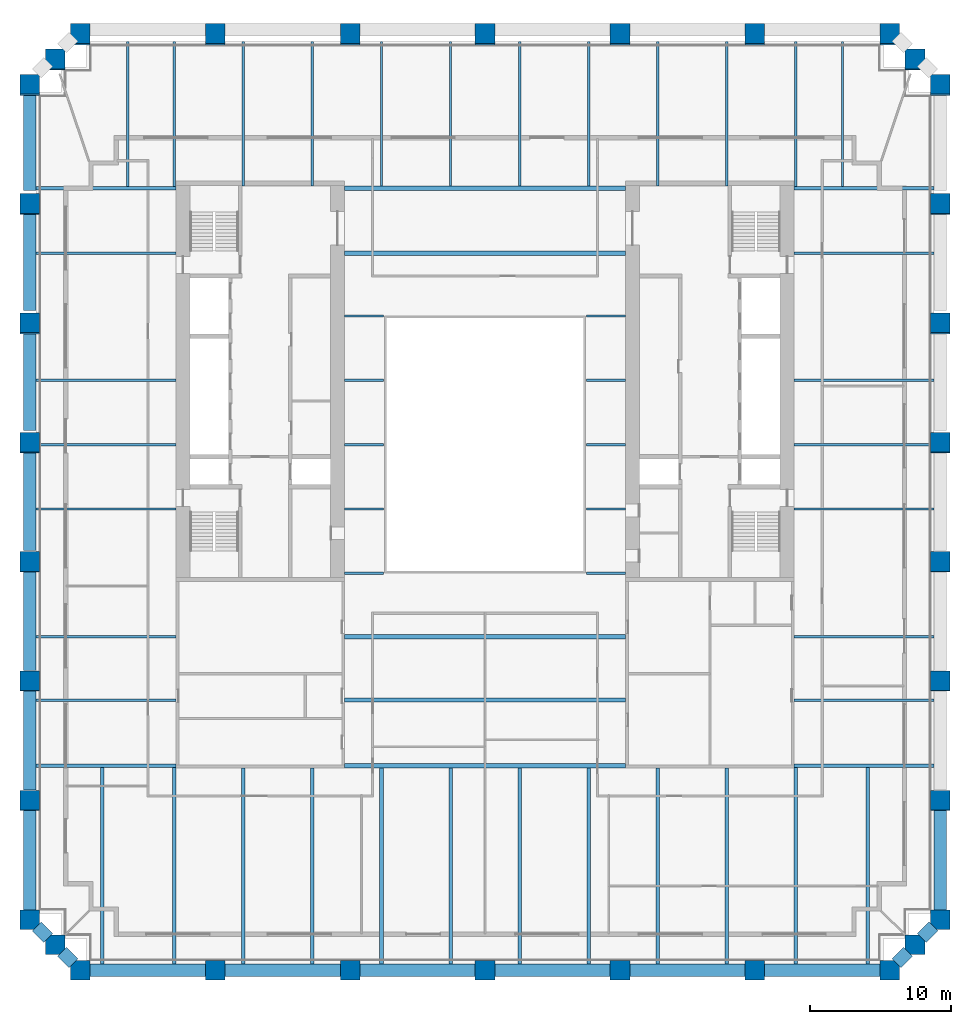
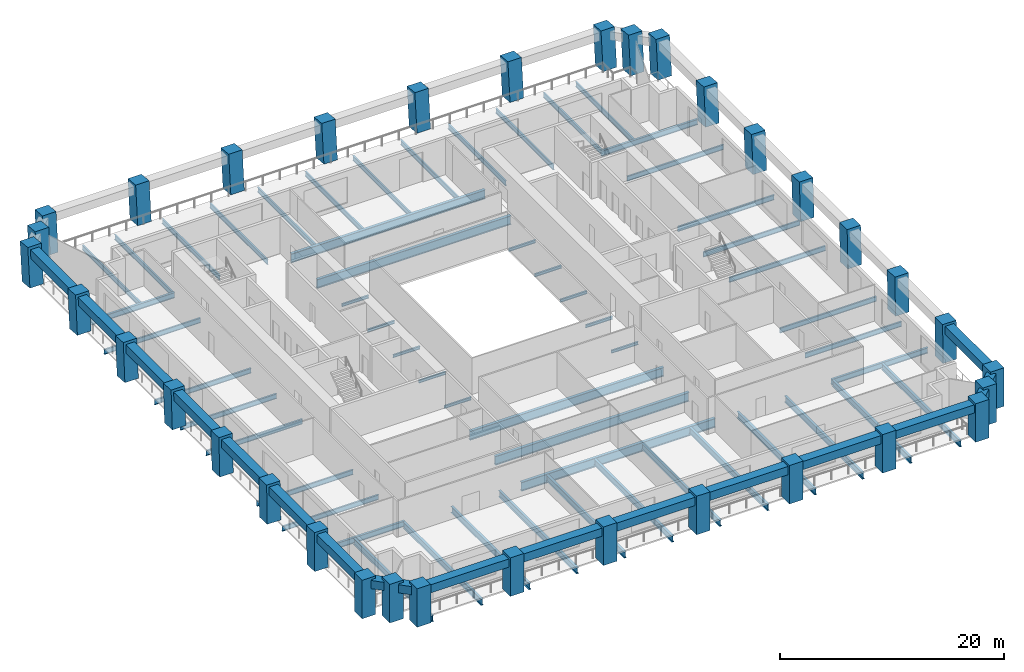
# One storey, part 1 of 9: 73 beams, 34 columns.
"""IFC4 building model written with IfcOpenShell, lengths in metres."""

from ifc_helpers import new_model, si_unit, direction, frame, origin, origin_2d, place, context, subcontext, project, spatial, rectangle, i_section, extrude, material, material_profile, profile_set, type_object, element, save


model = new_model("IFC4")

# Units and contexts
model_context = context("Model", 3, precision=1e-05, world=origin(), true_north=direction((0.0, 1.0)))
body_context = subcontext(model_context, "Body", "Model", "MODEL_VIEW")
ifc_project = project(units=[si_unit("LENGTHUNIT", "METRE"), si_unit("AREAUNIT", "SQUARE_METRE"), si_unit("VOLUMEUNIT", "CUBIC_METRE"), si_unit("PLANEANGLEUNIT", "RADIAN"), si_unit("MASSUNIT", "GRAM", prefix="KILO")], contexts=[model_context])

# Site, building, storey
site_placement = place(None, origin())
site = spatial("IfcSite", under=ifc_project, at=site_placement, CompositionType="ELEMENT")
building_placement = place(site_placement, origin())
building = spatial("IfcBuilding", under=site, at=building_placement, Name="Ogive Exchange Tower", CompositionType="ELEMENT")
storey_placement = place(building_placement, frame((0.0, 0.0, 85.800048828125)))
storey = spatial("IfcBuildingStorey", under=building, at=storey_placement, Name="L18", CompositionType="ELEMENT", Elevation=85.800048828125)

# Columns
ifc_material_1 = material(Name="Precast concrete C70/85 (limestone faced)", Category="masonry")
ifc_material_profile_1 = material_profile(ifc_material_1, rectangle(XDim=1.39990234375, YDim=1.39990234375, at=origin_2d()), Name="1400 x 1400")
ifc_profile_set_1 = profile_set([ifc_material_profile_1], Name="Precast concrete C70/85 (limestone faced)")
column_type = type_object("IfcColumnType", Name="Precast exoskeleton leg 1400 x 1400 C70/85", PredefinedType="COLUMN", material=ifc_profile_set_1)
for number, where, z_axis, x_axis, name in (
    (1, (-28.800048828125, -30.39990234375, 0.0), (0.0, 0.0, 1.0), (1.0, 0.0, 0.0), "Exoskeleton leg 1"),
    (2, (-19.199951171875, -30.39990234375, 0.0), (0.0, 0.0, 1.0), (1.0, 0.0, 0.0), "Exoskeleton leg 2"),
    (3, (-9.60009765625, -30.39990234375, 0.0), (0.0, 0.0, 1.0), (1.0, 0.0, 0.0), "Exoskeleton leg 3"),
    (4, (0.0, -30.39990234375, 0.0), (0.0, 0.0, 1.0), (1.0, 0.0, 0.0), "Exoskeleton leg 4"),
    (5, (9.60009765625, -30.39990234375, 0.0), (0.0, 0.0, 1.0), (1.0, 0.0, 0.0), "Exoskeleton leg 5"),
    (6, (19.199951171875, -30.39990234375, 0.0), (0.0, 0.0, 1.0), (1.0, 0.0, 0.0), "Exoskeleton leg 6"),
    (7, (28.800048828125, -30.39990234375, 0.0), (0.0, 0.0, 1.0), (1.0, 0.0, 0.0), "Exoskeleton leg 7"),
    (8, (32.39990234375, -26.800048828125, 0.0), (0.0, 0.0, 1.0), (1.0, 0.0, 0.0), "Exoskeleton leg 8"),
):
    element("IfcColumn", number, at=place(storey_placement, frame(where, z_axis=z_axis, x_axis=x_axis)), inside=storey, type_object=column_type, Name=name, PredefinedType="COLUMN", context=body_context, shape_type="SweptSolid", body=[
        extrude(rectangle(XDim=1.39990234375, YDim=1.39990234375, at=origin_2d()), origin(), (0.0, 0.0, 1.0), 4.199951171875),
    ])
column_1_placement = place(storey_placement, frame((32.39990234375, -18.322021484375, 0.0), z_axis=(0.0, 0.012961766342, 0.999915992778), x_axis=(-1.0, 0.0, 0.0)))
element("IfcColumn", 9, at=column_1_placement, inside=storey, type_object=column_type, Name="Exoskeleton leg 9", PredefinedType="COLUMN", context=body_context, shape_type="SweptSolid", body=[
    extrude(rectangle(XDim=1.39990234375, YDim=1.39990234375, at=origin_2d()), origin(), (0.0, 0.0, 1.0), 4.2001953125),
])
column_2_placement = place(storey_placement, frame((32.39990234375, -9.84423828125, 0.0), z_axis=(0.0, 0.025975072843, 0.999662590873), x_axis=(-1.0, 0.0, 0.0)))
element("IfcColumn", 10, at=column_2_placement, inside=storey, type_object=column_type, Name="Exoskeleton leg 10", PredefinedType="COLUMN", context=body_context, shape_type="SweptSolid", body=[
    extrude(rectangle(XDim=1.39990234375, YDim=1.39990234375, at=origin_2d()), origin(), (0.0, 0.0, 1.0), 4.201416015625),
])
column_3_placement = place(storey_placement, frame((32.39990234375, -1.3662109375, 0.0), z_axis=(0.0, 0.038917190853, 0.999242439179), x_axis=(-1.0, 0.0, 0.0)))
element("IfcColumn", 11, at=column_3_placement, inside=storey, type_object=column_type, Name="Exoskeleton leg 11", PredefinedType="COLUMN", context=body_context, shape_type="SweptSolid", body=[
    extrude(rectangle(XDim=1.39990234375, YDim=1.39990234375, at=origin_2d()), origin(), (0.0, 0.0, 1.0), 4.203125),
])
column_4_placement = place(storey_placement, frame((32.39990234375, 7.11181640625, 0.0), z_axis=(0.0, 0.051839753909, 0.998655416004), x_axis=(-1.0, 0.0, 0.0)))
element("IfcColumn", 12, at=column_4_placement, inside=storey, type_object=column_type, Name="Exoskeleton leg 12", PredefinedType="COLUMN", context=body_context, shape_type="SweptSolid", body=[
    extrude(rectangle(XDim=1.39990234375, YDim=1.39990234375, at=origin_2d()), origin(), (0.0, 0.0, 1.0), 4.20556640625),
])
column_5_placement = place(storey_placement, frame((32.39990234375, 15.589599609375, 0.0), z_axis=(0.0, 0.064794093908, 0.997898654872), x_axis=(-1.0, 0.0, 0.0)))
element("IfcColumn", 13, at=column_5_placement, inside=storey, type_object=column_type, Name="Exoskeleton leg 13", PredefinedType="COLUMN", context=body_context, shape_type="SweptSolid", body=[
    extrude(rectangle(XDim=1.39990234375, YDim=1.39990234375, at=origin_2d()), origin(), (0.0, 0.0, 1.0), 4.208740234375),
])
column_6_placement = place(storey_placement, frame((32.39990234375, 24.0673828125, 0.0), z_axis=(0.0, 0.07771576013, 0.996975556685), x_axis=(-1.0, 0.0, 0.0)))
element("IfcColumn", 14, at=column_6_placement, inside=storey, type_object=column_type, Name="Exoskeleton leg 14", PredefinedType="COLUMN", context=body_context, shape_type="SweptSolid", body=[
    extrude(rectangle(XDim=1.39990234375, YDim=1.39990234375, at=origin_2d()), origin(), (0.0, 0.0, 1.0), 4.212646484375),
])
for number, where, z_axis, x_axis, name in (
    (15, (32.39990234375, 32.54541015625, 0.0), (0.0, 0.090540965689, 0.995892731941), (-1.0, 0.0, 0.0), "Exoskeleton leg 15"),
    (16, (28.800048828125, 36.1455078125, 0.0), (0.0, 0.090540965689, 0.995892731941), (-1.0, 0.0, 0.0), "Exoskeleton leg 16"),
    (17, (19.199951171875, 36.1455078125, 0.0), (0.0, 0.090540965689, 0.995892731941), (-1.0, 0.0, 0.0), "Exoskeleton leg 17"),
    (18, (9.60009765625, 36.1455078125, 0.0), (0.0, 0.090540965689, 0.995892731941), (-1.0, 0.0, 0.0), "Exoskeleton leg 18"),
    (19, (0.0, 36.1455078125, 0.0), (0.0, 0.090540965689, 0.995892731941), (-1.0, 0.0, 0.0), "Exoskeleton leg 19"),
    (20, (-9.60009765625, 36.1455078125, 0.0), (0.0, 0.090540965689, 0.995892731941), (-1.0, 0.0, 0.0), "Exoskeleton leg 20"),
    (21, (-19.199951171875, 36.1455078125, 0.0), (0.0, 0.090540965689, 0.995892731941), (-1.0, 0.0, 0.0), "Exoskeleton leg 21"),
    (22, (-28.800048828125, 36.1455078125, 0.0), (0.0, 0.090540965689, 0.995892731941), (-1.0, 0.0, 0.0), "Exoskeleton leg 22"),
    (23, (-32.39990234375, 32.54541015625, 0.0), (0.0, 0.090540965689, 0.995892731941), (-1.0, 0.0, 0.0), "Exoskeleton leg 23"),
):
    element("IfcColumn", number, at=place(storey_placement, frame(where, z_axis=z_axis, x_axis=x_axis)), inside=storey, type_object=column_type, Name=name, PredefinedType="COLUMN", context=body_context, shape_type="SweptSolid", body=[
        extrude(rectangle(XDim=1.39990234375, YDim=1.39990234375, at=origin_2d()), origin(), (0.0, 0.0, 1.0), 4.21728515625),
    ])
column_7_placement = place(storey_placement, frame((-32.39990234375, 24.0673828125, 0.0), z_axis=(0.0, 0.07771576013, 0.996975556685), x_axis=(-1.0, 0.0, 0.0)))
element("IfcColumn", 24, at=column_7_placement, inside=storey, type_object=column_type, Name="Exoskeleton leg 24", PredefinedType="COLUMN", context=body_context, shape_type="SweptSolid", body=[
    extrude(rectangle(XDim=1.39990234375, YDim=1.39990234375, at=origin_2d()), origin(), (0.0, 0.0, 1.0), 4.212646484375),
])
column_8_placement = place(storey_placement, frame((-32.39990234375, 15.589599609375, 0.0), z_axis=(0.0, 0.064794093908, 0.997898654872), x_axis=(-1.0, 0.0, 0.0)))
element("IfcColumn", 25, at=column_8_placement, inside=storey, type_object=column_type, Name="Exoskeleton leg 25", PredefinedType="COLUMN", context=body_context, shape_type="SweptSolid", body=[
    extrude(rectangle(XDim=1.39990234375, YDim=1.39990234375, at=origin_2d()), origin(), (0.0, 0.0, 1.0), 4.208740234375),
])
column_9_placement = place(storey_placement, frame((-32.39990234375, 7.11181640625, 0.0), z_axis=(0.0, 0.051839753909, 0.998655416004), x_axis=(-1.0, 0.0, 0.0)))
element("IfcColumn", 26, at=column_9_placement, inside=storey, type_object=column_type, Name="Exoskeleton leg 26", PredefinedType="COLUMN", context=body_context, shape_type="SweptSolid", body=[
    extrude(rectangle(XDim=1.39990234375, YDim=1.39990234375, at=origin_2d()), origin(), (0.0, 0.0, 1.0), 4.20556640625),
])
column_10_placement = place(storey_placement, frame((-32.39990234375, -1.3662109375, 0.0), z_axis=(0.0, 0.038917190853, 0.999242439179), x_axis=(-1.0, 0.0, 0.0)))
element("IfcColumn", 27, at=column_10_placement, inside=storey, type_object=column_type, Name="Exoskeleton leg 27", PredefinedType="COLUMN", context=body_context, shape_type="SweptSolid", body=[
    extrude(rectangle(XDim=1.39990234375, YDim=1.39990234375, at=origin_2d()), origin(), (0.0, 0.0, 1.0), 4.203125),
])
column_11_placement = place(storey_placement, frame((-32.39990234375, -9.84423828125, 0.0), z_axis=(0.0, 0.025975072843, 0.999662590873), x_axis=(-1.0, 0.0, 0.0)))
element("IfcColumn", 28, at=column_11_placement, inside=storey, type_object=column_type, Name="Exoskeleton leg 28", PredefinedType="COLUMN", context=body_context, shape_type="SweptSolid", body=[
    extrude(rectangle(XDim=1.39990234375, YDim=1.39990234375, at=origin_2d()), origin(), (0.0, 0.0, 1.0), 4.201416015625),
])
column_12_placement = place(storey_placement, frame((-32.39990234375, -18.322021484375, 0.0), z_axis=(0.0, 0.012961766342, 0.999915992778), x_axis=(-1.0, 0.0, 0.0)))
element("IfcColumn", 29, at=column_12_placement, inside=storey, type_object=column_type, Name="Exoskeleton leg 29", PredefinedType="COLUMN", context=body_context, shape_type="SweptSolid", body=[
    extrude(rectangle(XDim=1.39990234375, YDim=1.39990234375, at=origin_2d()), origin(), (0.0, 0.0, 1.0), 4.2001953125),
])
for number, where, z_axis, x_axis, name in (
    (30, (-32.39990234375, -26.800048828125, 0.0), (0.0, 0.0, 1.0), (1.0, 0.0, 0.0), "Exoskeleton leg 30"),
    (31, (30.60009765625, -28.60009765625, 0.0), (0.0, 0.0, 1.0), (1.0, 0.0, 0.0), "Exoskeleton leg 31"),
):
    element("IfcColumn", number, at=place(storey_placement, frame(where, z_axis=z_axis, x_axis=x_axis)), inside=storey, type_object=column_type, Name=name, PredefinedType="COLUMN", context=body_context, shape_type="SweptSolid", body=[
        extrude(rectangle(XDim=1.39990234375, YDim=1.39990234375, at=origin_2d()), origin(), (0.0, 0.0, 1.0), 4.199951171875),
    ])
for number, where, z_axis, x_axis, name in (
    (32, (30.60009765625, 34.345458984375, 0.0), (0.0, 0.090540965689, 0.995892731941), (-1.0, 0.0, 0.0), "Exoskeleton leg 32"),
    (33, (-30.60009765625, 34.345458984375, 0.0), (0.0, 0.090540965689, 0.995892731941), (-1.0, 0.0, 0.0), "Exoskeleton leg 33"),
):
    element("IfcColumn", number, at=place(storey_placement, frame(where, z_axis=z_axis, x_axis=x_axis)), inside=storey, type_object=column_type, Name=name, PredefinedType="COLUMN", context=body_context, shape_type="SweptSolid", body=[
        extrude(rectangle(XDim=1.39990234375, YDim=1.39990234375, at=origin_2d()), origin(), (0.0, 0.0, 1.0), 4.21728515625),
    ])
column_13_placement = place(storey_placement, frame((-30.60009765625, -28.60009765625, 0.0), z_axis=(0.0, 0.0, 1.0), x_axis=(1.0, 0.0, 0.0)))
element("IfcColumn", 34, at=column_13_placement, inside=storey, type_object=column_type, Name="Exoskeleton leg 34", PredefinedType="COLUMN", context=body_context, shape_type="SweptSolid", body=[
    extrude(rectangle(XDim=1.39990234375, YDim=1.39990234375, at=origin_2d()), origin(), (0.0, 0.0, 1.0), 4.199951171875),
])

# Beams
ifc_material_2 = material(Name="Steel ASTM A992 Gr50", Category="steel")
ifc_material_profile_2 = material_profile(ifc_material_2, i_section(OverallWidth=0.300048828125, OverallDepth=0.969970703125, WebThickness=0.01611328125, FlangeThickness=0.02099609375, at=origin_2d()), Name="W1000x222")
ifc_profile_set_2 = profile_set([ifc_material_profile_2], Name="Steel ASTM A992 Gr50")
beam_type_1 = type_object("IfcBeamType", Name="Floor beam W1000x222", PredefinedType="JOIST", material=ifc_profile_set_2)
for number, where, z_axis, x_axis, name in (
    (35, (-10.0, -11.17822265625, -0.68505859375), (1.0, 0.0, 0.0), (0.0, 1.0, 0.0), "Floor beam"),
    (36, (-10.0, -6.666748046875, -0.68505859375), (1.0, 0.0, 0.0), (0.0, 1.0, 0.0), "Floor beam"),
    (37, (-10.0, 20.62255859375, -0.68505859375), (1.0, 0.0, 0.0), (0.0, 1.0, 0.0), "Floor beam"),
):
    element("IfcBeam", number, at=place(storey_placement, frame(where, z_axis=z_axis, x_axis=x_axis)), inside=storey, type_object=beam_type_1, Name=name, PredefinedType="JOIST", context=body_context, shape_type="SweptSolid", body=[
        extrude(i_section(OverallWidth=0.300048828125, OverallDepth=0.969970703125, WebThickness=0.01611328125, FlangeThickness=0.02099609375, at=origin_2d()), origin(), (0.0, 0.0, 1.0), 20.0),
    ])
ifc_material_profile_3 = material_profile(ifc_material_2, i_section(OverallWidth=0.1650390625, OverallDepth=0.31005859375, WebThickness=0.005859375, FlangeThickness=0.009765625, at=origin_2d()), Name="W310x38.7")
ifc_profile_set_3 = profile_set([ifc_material_profile_3], Name="Steel ASTM A992 Gr50")
beam_type_2 = type_object("IfcBeamType", Name="Floor beam W310x38.7", PredefinedType="JOIST", material=ifc_profile_set_3)
for number, where, z_axis, x_axis, name in (
    (38, (-10.0, 2.422607421875, -0.35498046875), (1.0, 0.0, 0.0), (0.0, 1.0, 0.0), "Floor beam"),
    (39, (7.219970703125, 2.422607421875, -0.35498046875), (1.0, 0.0, 0.0), (0.0, 1.0, 0.0), "Floor beam"),
    (40, (-10.0, 7.0, -0.35498046875), (1.0, 0.0, 0.0), (0.0, 1.0, 0.0), "Floor beam"),
    (41, (7.219970703125, 7.0, -0.35498046875), (1.0, 0.0, 0.0), (0.0, 1.0, 0.0), "Floor beam"),
    (42, (-10.0, 11.577392578125, -0.35498046875), (1.0, 0.0, 0.0), (0.0, 1.0, 0.0), "Floor beam"),
    (43, (7.219970703125, 11.577392578125, -0.35498046875), (1.0, 0.0, 0.0), (0.0, 1.0, 0.0), "Floor beam"),
):
    element("IfcBeam", number, at=place(storey_placement, frame(where, z_axis=z_axis, x_axis=x_axis)), inside=storey, type_object=beam_type_2, Name=name, PredefinedType="JOIST", context=body_context, shape_type="SweptSolid", body=[
        extrude(i_section(OverallWidth=0.1650390625, OverallDepth=0.31005859375, WebThickness=0.005859375, FlangeThickness=0.009765625, at=origin_2d()), origin(), (0.0, 0.0, 1.0), 2.780029296875),
    ])
ifc_material_profile_4 = material_profile(ifc_material_2, i_section(OverallWidth=0.1669921875, OverallDepth=0.535888671875, WebThickness=0.01025390625, FlangeThickness=0.0166015625, at=origin_2d()), Name="W530x85")
ifc_profile_set_4 = profile_set([ifc_material_profile_4], Name="Steel ASTM A992 Gr50")
beam_type_3 = type_object("IfcBeamType", Name="Floor beam W530x85", PredefinedType="JOIST", material=ifc_profile_set_4)
for number, where, z_axis, x_axis, name in (
    (44, (-31.949951171875, -11.17822265625, -0.468017578125), (1.0, 0.0, 0.0), (0.0, 1.0, 0.0), "Floor beam"),
    (45, (22.0, -11.17822265625, -0.468017578125), (1.0, 0.0, 0.0), (0.0, 1.0, 0.0), "Floor beam"),
    (46, (-31.949951171875, -6.666748046875, -0.468017578125), (1.0, 0.0, 0.0), (0.0, 1.0, 0.0), "Floor beam"),
    (47, (22.0, -6.666748046875, -0.468017578125), (1.0, 0.0, 0.0), (0.0, 1.0, 0.0), "Floor beam"),
    (48, (-31.949951171875, 2.422607421875, -0.468017578125), (1.0, 0.0, 0.0), (0.0, 1.0, 0.0), "Floor beam"),
    (49, (22.0, 2.422607421875, -0.468017578125), (1.0, 0.0, 0.0), (0.0, 1.0, 0.0), "Floor beam"),
    (50, (-31.949951171875, 7.0, -0.468017578125), (1.0, 0.0, 0.0), (0.0, 1.0, 0.0), "Floor beam"),
    (51, (22.0, 7.0, -0.468017578125), (1.0, 0.0, 0.0), (0.0, 1.0, 0.0), "Floor beam"),
    (52, (-31.949951171875, 11.577392578125, -0.468017578125), (1.0, 0.0, 0.0), (0.0, 1.0, 0.0), "Floor beam"),
    (53, (22.0, 11.577392578125, -0.468017578125), (1.0, 0.0, 0.0), (0.0, 1.0, 0.0), "Floor beam"),
    (54, (-31.949951171875, 20.62255859375, -0.468017578125), (1.0, 0.0, 0.0), (0.0, 1.0, 0.0), "Floor beam"),
    (55, (22.0, 20.62255859375, -0.468017578125), (1.0, 0.0, 0.0), (0.0, 1.0, 0.0), "Floor beam"),
):
    element("IfcBeam", number, at=place(storey_placement, frame(where, z_axis=z_axis, x_axis=x_axis)), inside=storey, type_object=beam_type_3, Name=name, PredefinedType="JOIST", context=body_context, shape_type="SweptSolid", body=[
        extrude(i_section(OverallWidth=0.1669921875, OverallDepth=0.535888671875, WebThickness=0.01025390625, FlangeThickness=0.0166015625, at=origin_2d()), origin(), (0.0, 0.0, 1.0), 9.949951171875),
    ])
for number, where, z_axis, x_axis, name in (
    (56, (-25.4345703125, 25.35888671875, -0.468017578125), (0.0, 1.0, 0.0), (-1.0, 0.0, 0.0), "Floor beam"),
    (57, (-22.119140625, 25.35888671875, -0.468017578125), (0.0, 1.0, 0.0), (-1.0, 0.0, 0.0), "Floor beam"),
):
    element("IfcBeam", number, at=place(storey_placement, frame(where, z_axis=z_axis, x_axis=x_axis)), inside=storey, type_object=beam_type_3, Name=name, PredefinedType="JOIST", context=body_context, shape_type="SweptSolid", body=[
        extrude(i_section(OverallWidth=0.1669921875, OverallDepth=0.535888671875, WebThickness=0.01025390625, FlangeThickness=0.0166015625, at=origin_2d()), origin(), (0.0, 0.0, 1.0), 10.336669921875),
    ])
for number, where, z_axis, x_axis, name in (
    (58, (-17.203857421875, 25.39990234375, -0.468017578125), (0.0, 1.0, 0.0), (-1.0, 0.0, 0.0), "Floor beam"),
    (59, (-12.28857421875, 25.39990234375, -0.468017578125), (0.0, 1.0, 0.0), (-1.0, 0.0, 0.0), "Floor beam"),
):
    element("IfcBeam", number, at=place(storey_placement, frame(where, z_axis=z_axis, x_axis=x_axis)), inside=storey, type_object=beam_type_3, Name=name, PredefinedType="JOIST", context=body_context, shape_type="SweptSolid", body=[
        extrude(i_section(OverallWidth=0.1669921875, OverallDepth=0.535888671875, WebThickness=0.01025390625, FlangeThickness=0.0166015625, at=origin_2d()), origin(), (0.0, 0.0, 1.0), 10.295654296875),
    ])
for number, where, z_axis, x_axis, name in (
    (60, (-7.373046875, 25.39501953125, -0.468017578125), (0.0, 1.0, 0.0), (-1.0, 0.0, 0.0), "Floor beam"),
    (61, (-2.457763671875, 25.39501953125, -0.468017578125), (0.0, 1.0, 0.0), (-1.0, 0.0, 0.0), "Floor beam"),
    (62, (2.457763671875, 25.39501953125, -0.468017578125), (0.0, 1.0, 0.0), (-1.0, 0.0, 0.0), "Floor beam"),
    (63, (7.373046875, 25.39501953125, -0.468017578125), (0.0, 1.0, 0.0), (-1.0, 0.0, 0.0), "Floor beam"),
):
    element("IfcBeam", number, at=place(storey_placement, frame(where, z_axis=z_axis, x_axis=x_axis)), inside=storey, type_object=beam_type_3, Name=name, PredefinedType="JOIST", context=body_context, shape_type="SweptSolid", body=[
        extrude(i_section(OverallWidth=0.1669921875, OverallDepth=0.535888671875, WebThickness=0.01025390625, FlangeThickness=0.0166015625, at=origin_2d()), origin(), (0.0, 0.0, 1.0), 10.300537109375),
    ])
for number, where, z_axis, x_axis, name in (
    (64, (12.28857421875, 25.39990234375, -0.468017578125), (0.0, 1.0, 0.0), (-1.0, 0.0, 0.0), "Floor beam"),
    (65, (17.203857421875, 25.39990234375, -0.468017578125), (0.0, 1.0, 0.0), (-1.0, 0.0, 0.0), "Floor beam"),
):
    element("IfcBeam", number, at=place(storey_placement, frame(where, z_axis=z_axis, x_axis=x_axis)), inside=storey, type_object=beam_type_3, Name=name, PredefinedType="JOIST", context=body_context, shape_type="SweptSolid", body=[
        extrude(i_section(OverallWidth=0.1669921875, OverallDepth=0.535888671875, WebThickness=0.01025390625, FlangeThickness=0.0166015625, at=origin_2d()), origin(), (0.0, 0.0, 1.0), 10.295654296875),
    ])
for number, where, z_axis, x_axis, name in (
    (66, (22.119140625, 25.35888671875, -0.468017578125), (0.0, 1.0, 0.0), (-1.0, 0.0, 0.0), "Floor beam"),
    (67, (25.4345703125, 25.35888671875, -0.468017578125), (0.0, 1.0, 0.0), (-1.0, 0.0, 0.0), "Floor beam"),
):
    element("IfcBeam", number, at=place(storey_placement, frame(where, z_axis=z_axis, x_axis=x_axis)), inside=storey, type_object=beam_type_3, Name=name, PredefinedType="JOIST", context=body_context, shape_type="SweptSolid", body=[
        extrude(i_section(OverallWidth=0.1669921875, OverallDepth=0.535888671875, WebThickness=0.01025390625, FlangeThickness=0.0166015625, at=origin_2d()), origin(), (0.0, 0.0, 1.0), 10.336669921875),
    ])
ifc_material_profile_5 = material_profile(ifc_material_2, i_section(OverallWidth=0.25390625, OverallDepth=0.677978515625, WebThickness=0.01171875, FlangeThickness=0.016357421875, at=origin_2d()), Name="W690x125")
ifc_profile_set_5 = profile_set([ifc_material_profile_5], Name="Steel ASTM A992 Gr50")
beam_type_4 = type_object("IfcBeamType", Name="Floor beam W690x125", PredefinedType="JOIST", material=ifc_profile_set_5)
for number, where, z_axis, x_axis, name in (
    (68, (-27.234619140625, -29.949951171875, -0.5390625), (0.0, 1.0, 0.0), (-1.0, 0.0, 0.0), "Floor beam"),
    (69, (-22.119140625, -29.949951171875, -0.5390625), (0.0, 1.0, 0.0), (-1.0, 0.0, 0.0), "Floor beam"),
):
    element("IfcBeam", number, at=place(storey_placement, frame(where, z_axis=z_axis, x_axis=x_axis)), inside=storey, type_object=beam_type_4, Name=name, PredefinedType="JOIST", context=body_context, shape_type="SweptSolid", body=[
        extrude(i_section(OverallWidth=0.25390625, OverallDepth=0.677978515625, WebThickness=0.01171875, FlangeThickness=0.016357421875, at=origin_2d()), origin(), (0.0, 0.0, 1.0), 13.990966796875),
    ])
for number, where, z_axis, x_axis, name in (
    (70, (-17.203857421875, -29.949951171875, -0.5390625), (0.0, 1.0, 0.0), (-1.0, 0.0, 0.0), "Floor beam"),
    (71, (-12.28857421875, -29.949951171875, -0.5390625), (0.0, 1.0, 0.0), (-1.0, 0.0, 0.0), "Floor beam"),
):
    element("IfcBeam", number, at=place(storey_placement, frame(where, z_axis=z_axis, x_axis=x_axis)), inside=storey, type_object=beam_type_4, Name=name, PredefinedType="JOIST", context=body_context, shape_type="SweptSolid", body=[
        extrude(i_section(OverallWidth=0.25390625, OverallDepth=0.677978515625, WebThickness=0.01171875, FlangeThickness=0.016357421875, at=origin_2d()), origin(), (0.0, 0.0, 1.0), 13.949951171875),
    ])
for number, where, z_axis, x_axis, name in (
    (72, (-7.373046875, -29.949951171875, -0.5390625), (0.0, 1.0, 0.0), (-1.0, 0.0, 0.0), "Floor beam"),
    (73, (-2.457763671875, -29.949951171875, -0.5390625), (0.0, 1.0, 0.0), (-1.0, 0.0, 0.0), "Floor beam"),
    (74, (2.457763671875, -29.949951171875, -0.5390625), (0.0, 1.0, 0.0), (-1.0, 0.0, 0.0), "Floor beam"),
    (75, (7.373046875, -29.949951171875, -0.5390625), (0.0, 1.0, 0.0), (-1.0, 0.0, 0.0), "Floor beam"),
):
    element("IfcBeam", number, at=place(storey_placement, frame(where, z_axis=z_axis, x_axis=x_axis)), inside=storey, type_object=beam_type_4, Name=name, PredefinedType="JOIST", context=body_context, shape_type="SweptSolid", body=[
        extrude(i_section(OverallWidth=0.25390625, OverallDepth=0.677978515625, WebThickness=0.01171875, FlangeThickness=0.016357421875, at=origin_2d()), origin(), (0.0, 0.0, 1.0), 13.954833984375),
    ])
for number, where, z_axis, x_axis, name in (
    (76, (12.28857421875, -29.949951171875, -0.5390625), (0.0, 1.0, 0.0), (-1.0, 0.0, 0.0), "Floor beam"),
    (77, (17.203857421875, -29.949951171875, -0.5390625), (0.0, 1.0, 0.0), (-1.0, 0.0, 0.0), "Floor beam"),
):
    element("IfcBeam", number, at=place(storey_placement, frame(where, z_axis=z_axis, x_axis=x_axis)), inside=storey, type_object=beam_type_4, Name=name, PredefinedType="JOIST", context=body_context, shape_type="SweptSolid", body=[
        extrude(i_section(OverallWidth=0.25390625, OverallDepth=0.677978515625, WebThickness=0.01171875, FlangeThickness=0.016357421875, at=origin_2d()), origin(), (0.0, 0.0, 1.0), 13.949951171875),
    ])
for number, where, z_axis, x_axis, name in (
    (78, (22.119140625, -29.949951171875, -0.5390625), (0.0, 1.0, 0.0), (-1.0, 0.0, 0.0), "Floor beam"),
    (79, (27.234619140625, -29.949951171875, -0.5390625), (0.0, 1.0, 0.0), (-1.0, 0.0, 0.0), "Floor beam"),
):
    element("IfcBeam", number, at=place(storey_placement, frame(where, z_axis=z_axis, x_axis=x_axis)), inside=storey, type_object=beam_type_4, Name=name, PredefinedType="JOIST", context=body_context, shape_type="SweptSolid", body=[
        extrude(i_section(OverallWidth=0.25390625, OverallDepth=0.677978515625, WebThickness=0.01171875, FlangeThickness=0.016357421875, at=origin_2d()), origin(), (0.0, 0.0, 1.0), 13.990966796875),
    ])
ifc_material_profile_6 = material_profile(ifc_material_2, i_section(OverallWidth=0.300048828125, OverallDepth=0.97998046875, WebThickness=0.0166015625, FlangeThickness=0.026123046875, at=origin_2d()), Name="W1000x249")
ifc_profile_set_6 = profile_set([ifc_material_profile_6], Name="Steel ASTM A992 Gr50")
beam_type_5 = type_object("IfcBeamType", Name="Girder W1000x249", PredefinedType="BEAM", material=ifc_profile_set_6)
for number, where, z_axis, x_axis, name in (
    (80, (-10.0, -15.844970703125, -0.68994140625), (1.0, 0.0, 0.0), (0.0, 1.0, 0.0), "Header girder"),
    (81, (-10.0, 25.2451171875, -0.68994140625), (1.0, 0.0, 0.0), (0.0, 1.0, 0.0), "Header girder"),
):
    element("IfcBeam", number, at=place(storey_placement, frame(where, z_axis=z_axis, x_axis=x_axis)), inside=storey, type_object=beam_type_5, Name=name, PredefinedType="BEAM", context=body_context, shape_type="SweptSolid", body=[
        extrude(i_section(OverallWidth=0.300048828125, OverallDepth=0.97998046875, WebThickness=0.0166015625, FlangeThickness=0.026123046875, at=origin_2d()), origin(), (0.0, 0.0, 1.0), 20.0),
    ])
ifc_material_profile_7 = material_profile(ifc_material_2, i_section(OverallWidth=0.1650390625, OverallDepth=0.31005859375, WebThickness=0.005859375, FlangeThickness=0.009765625, at=origin_2d()), Name="W310x38.7")
ifc_profile_set_7 = profile_set([ifc_material_profile_7], Name="Steel ASTM A992 Gr50")
beam_type_6 = type_object("IfcBeamType", Name="Girder W310x38.7", PredefinedType="BEAM", material=ifc_profile_set_7)
for number, where, z_axis, x_axis, name in (
    (82, (-10.0, -2.155029296875, -0.35498046875), (1.0, 0.0, 0.0), (0.0, 1.0, 0.0), "Trimmer girder"),
    (83, (7.219970703125, -2.155029296875, -0.35498046875), (1.0, 0.0, 0.0), (0.0, 1.0, 0.0), "Trimmer girder"),
    (84, (-10.0, 16.155029296875, -0.35498046875), (1.0, 0.0, 0.0), (0.0, 1.0, 0.0), "Trimmer girder"),
    (85, (7.219970703125, 16.155029296875, -0.35498046875), (1.0, 0.0, 0.0), (0.0, 1.0, 0.0), "Trimmer girder"),
):
    element("IfcBeam", number, at=place(storey_placement, frame(where, z_axis=z_axis, x_axis=x_axis)), inside=storey, type_object=beam_type_6, Name=name, PredefinedType="BEAM", context=body_context, shape_type="SweptSolid", body=[
        extrude(i_section(OverallWidth=0.1650390625, OverallDepth=0.31005859375, WebThickness=0.005859375, FlangeThickness=0.009765625, at=origin_2d()), origin(), (0.0, 0.0, 1.0), 2.780029296875),
    ])
ifc_material_profile_8 = material_profile(ifc_material_2, i_section(OverallWidth=0.22802734375, OverallDepth=0.60205078125, WebThickness=0.010498046875, FlangeThickness=0.014892578125, at=origin_2d()), Name="W610x101")
ifc_profile_set_8 = profile_set([ifc_material_profile_8], Name="Steel ASTM A992 Gr50")
beam_type_7 = type_object("IfcBeamType", Name="Girder W610x101", PredefinedType="BEAM", material=ifc_profile_set_8)
for number, where, z_axis, x_axis, name in (
    (86, (-31.949951171875, -15.844970703125, -0.5009765625), (1.0, 0.0, 0.0), (0.0, 1.0, 0.0), "Header girder"),
    (87, (22.0, -15.844970703125, -0.5009765625), (1.0, 0.0, 0.0), (0.0, 1.0, 0.0), "Header girder"),
    (88, (-31.949951171875, 25.2451171875, -0.5009765625), (1.0, 0.0, 0.0), (0.0, 1.0, 0.0), "Header girder"),
    (89, (22.0, 25.2451171875, -0.5009765625), (1.0, 0.0, 0.0), (0.0, 1.0, 0.0), "Header girder"),
):
    element("IfcBeam", number, at=place(storey_placement, frame(where, z_axis=z_axis, x_axis=x_axis)), inside=storey, type_object=beam_type_7, Name=name, PredefinedType="BEAM", context=body_context, shape_type="SweptSolid", body=[
        extrude(i_section(OverallWidth=0.22802734375, OverallDepth=0.60205078125, WebThickness=0.010498046875, FlangeThickness=0.014892578125, at=origin_2d()), origin(), (0.0, 0.0, 1.0), 9.949951171875),
    ])
ifc_material_profile_9 = material_profile(ifc_material_1, rectangle(XDim=0.89990234375, YDim=0.89990234375, at=origin_2d()), Name="900 x 900")
ifc_profile_set_9 = profile_set([ifc_material_profile_9], Name="Precast concrete C70/85 (limestone faced)")
beam_type_8 = type_object("IfcBeamType", Name="Precast spandrel 900 x 900 C70/85", PredefinedType="SPANDREL", material=ifc_profile_set_9)
beam_1_placement = place(storey_placement, frame((-28.1201171875, -30.39990234375, 3.5), z_axis=(1.0, 0.0, 0.0), x_axis=(0.0, 1.0, 0.0)))
element("IfcBeam", 90, at=beam_1_placement, inside=storey, type_object=beam_type_8, Name="Spandrel 1", PredefinedType="SPANDREL", context=body_context, shape_type="SweptSolid", body=[
    extrude(rectangle(XDim=0.89990234375, YDim=0.89990234375, at=origin_2d()), origin(), (0.0, 0.0, 1.0), 8.240234375),
])
for number, where, z_axis, x_axis, name in (
    (91, (-18.52001953125, -30.39990234375, 3.5), (1.0, 0.0, 0.0), (0.0, 1.0, 0.0), "Spandrel 2"),
    (92, (-8.919921875, -30.39990234375, 3.5), (1.0, 0.0, 0.0), (0.0, 1.0, 0.0), "Spandrel 3"),
    (93, (0.679931640625, -30.39990234375, 3.5), (1.0, 0.0, 0.0), (0.0, 1.0, 0.0), "Spandrel 4"),
    (94, (10.280029296875, -30.39990234375, 3.5), (1.0, 0.0, 0.0), (0.0, 1.0, 0.0), "Spandrel 5"),
):
    element("IfcBeam", number, at=place(storey_placement, frame(where, z_axis=z_axis, x_axis=x_axis)), inside=storey, type_object=beam_type_8, Name=name, PredefinedType="SPANDREL", context=body_context, shape_type="SweptSolid", body=[
        extrude(rectangle(XDim=0.89990234375, YDim=0.89990234375, at=origin_2d()), origin(), (0.0, 0.0, 1.0), 8.239990234375),
    ])
beam_2_placement = place(storey_placement, frame((19.8798828125, -30.39990234375, 3.5), z_axis=(1.0, 0.0, 0.0), x_axis=(0.0, 1.0, 0.0)))
element("IfcBeam", 95, at=beam_2_placement, inside=storey, type_object=beam_type_8, Name="Spandrel 6", PredefinedType="SPANDREL", context=body_context, shape_type="SweptSolid", body=[
    extrude(rectangle(XDim=0.89990234375, YDim=0.89990234375, at=origin_2d()), origin(), (0.0, 0.0, 1.0), 8.240234375),
])
for number, where, z_axis, x_axis, name in (
    (96, (29.287841796875, -29.912109375, 3.5), (0.707106781187, 0.707106781187, 0.0), (-0.707106781187, 0.707106781187, 0.0), "Spandrel 7"),
    (97, (31.087890625, -28.112060546875, 3.5), (0.707106781187, 0.707106781187, 0.0), (-0.707106781187, 0.707106781187, 0.0), "Spandrel 8"),
):
    element("IfcBeam", number, at=place(storey_placement, frame(where, z_axis=z_axis, x_axis=x_axis)), inside=storey, type_object=beam_type_8, Name=name, PredefinedType="SPANDREL", context=body_context, shape_type="SweptSolid", body=[
        extrude(rectangle(XDim=0.89990234375, YDim=0.89990234375, at=origin_2d()), origin(), (0.0, 0.0, 1.0), 1.16552734375),
    ])
for number, where, z_axis, x_axis, name in (
    (98, (32.39990234375, -26.1201171875, 3.5), (0.0, 1.0, 0.0), (-1.0, 0.0, 0.0), "Spandrel 9"),
    (99, (-32.39990234375, 32.247314453125, 3.5), (0.0, -1.0, 0.0), (1.0, 0.0, 0.0), "Spandrel 26"),
    (100, (-32.39990234375, 23.71484375, 3.5), (0.0, -1.0, 0.0), (1.0, 0.0, 0.0), "Spandrel 27"),
):
    element("IfcBeam", number, at=place(storey_placement, frame(where, z_axis=z_axis, x_axis=x_axis)), inside=storey, type_object=beam_type_8, Name=name, PredefinedType="SPANDREL", context=body_context, shape_type="SweptSolid", body=[
        extrude(rectangle(XDim=0.89990234375, YDim=0.89990234375, at=origin_2d()), origin(), (0.0, 0.0, 1.0), 7.172607421875),
    ])
beam_3_placement = place(storey_placement, frame((-32.39990234375, 15.182373046875, 3.5), z_axis=(0.0, -1.0, 0.0), x_axis=(1.0, 0.0, 0.0)))
element("IfcBeam", 101, at=beam_3_placement, inside=storey, type_object=beam_type_8, Name="Spandrel 28", PredefinedType="SPANDREL", context=body_context, shape_type="SweptSolid", body=[
    extrude(rectangle(XDim=0.89990234375, YDim=0.89990234375, at=origin_2d()), origin(), (0.0, 0.0, 1.0), 7.17236328125),
])
for number, where, z_axis, x_axis, name in (
    (102, (-32.39990234375, 6.64990234375, 3.5), (0.0, -1.0, 0.0), (1.0, 0.0, 0.0), "Spandrel 29"),
    (103, (-32.39990234375, -1.882568359375, 3.5), (0.0, -1.0, 0.0), (1.0, 0.0, 0.0), "Spandrel 30"),
):
    element("IfcBeam", number, at=place(storey_placement, frame(where, z_axis=z_axis, x_axis=x_axis)), inside=storey, type_object=beam_type_8, Name=name, PredefinedType="SPANDREL", context=body_context, shape_type="SweptSolid", body=[
        extrude(rectangle(XDim=0.89990234375, YDim=0.89990234375, at=origin_2d()), origin(), (0.0, 0.0, 1.0), 7.172607421875),
    ])
beam_4_placement = place(storey_placement, frame((-32.39990234375, -10.4150390625, 3.5), z_axis=(0.0, -1.0, 0.0), x_axis=(1.0, 0.0, 0.0)))
element("IfcBeam", 104, at=beam_4_placement, inside=storey, type_object=beam_type_8, Name="Spandrel 31", PredefinedType="SPANDREL", context=body_context, shape_type="SweptSolid", body=[
    extrude(rectangle(XDim=0.89990234375, YDim=0.89990234375, at=origin_2d()), origin(), (0.0, 0.0, 1.0), 7.17236328125),
])
beam_5_placement = place(storey_placement, frame((-32.39990234375, -18.947509765625, 3.5), z_axis=(0.0, -1.0, 0.0), x_axis=(1.0, 0.0, 0.0)))
element("IfcBeam", 105, at=beam_5_placement, inside=storey, type_object=beam_type_8, Name="Spandrel 32", PredefinedType="SPANDREL", context=body_context, shape_type="SweptSolid", body=[
    extrude(rectangle(XDim=0.89990234375, YDim=0.89990234375, at=origin_2d()), origin(), (0.0, 0.0, 1.0), 7.172607421875),
])
for number, where, z_axis, x_axis, name in (
    (106, (-31.912109375, -27.287841796875, 3.5), (0.707106781187, -0.707106781187, 0.0), (0.707106781187, 0.707106781187, 0.0), "Spandrel 33"),
    (107, (-30.112060546875, -29.087890625, 3.5), (0.707106781187, -0.707106781187, 0.0), (0.707106781187, 0.707106781187, 0.0), "Spandrel 34"),
):
    element("IfcBeam", number, at=place(storey_placement, frame(where, z_axis=z_axis, x_axis=x_axis)), inside=storey, type_object=beam_type_8, Name=name, PredefinedType="SPANDREL", context=body_context, shape_type="SweptSolid", body=[
        extrude(rectangle(XDim=0.89990234375, YDim=0.89990234375, at=origin_2d()), origin(), (0.0, 0.0, 1.0), 1.16552734375),
    ])

save(model, "model.ifc")
